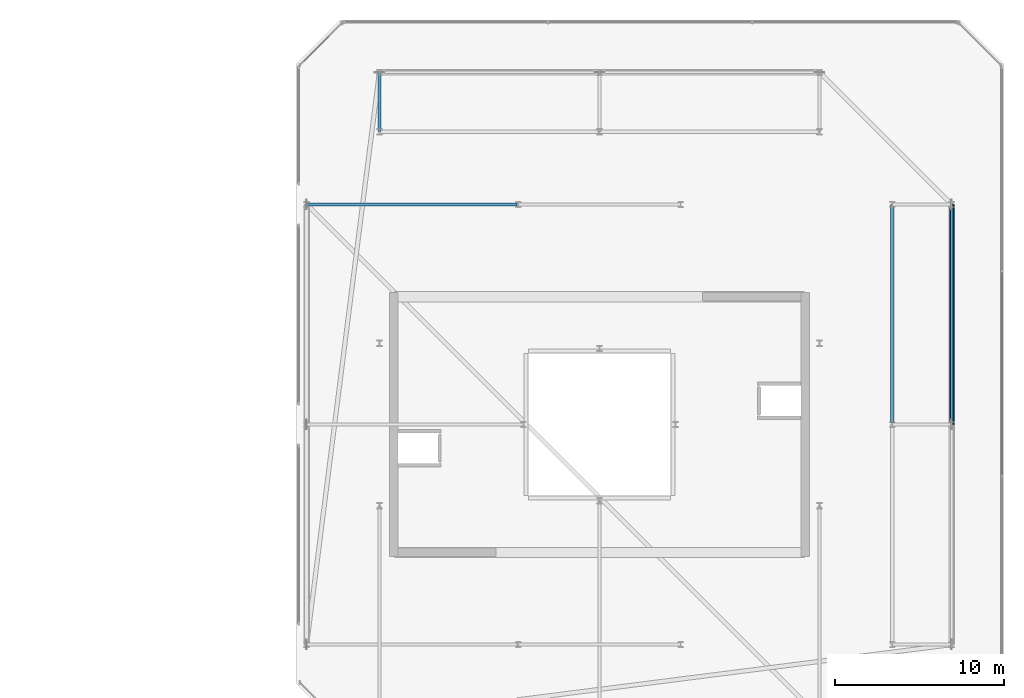
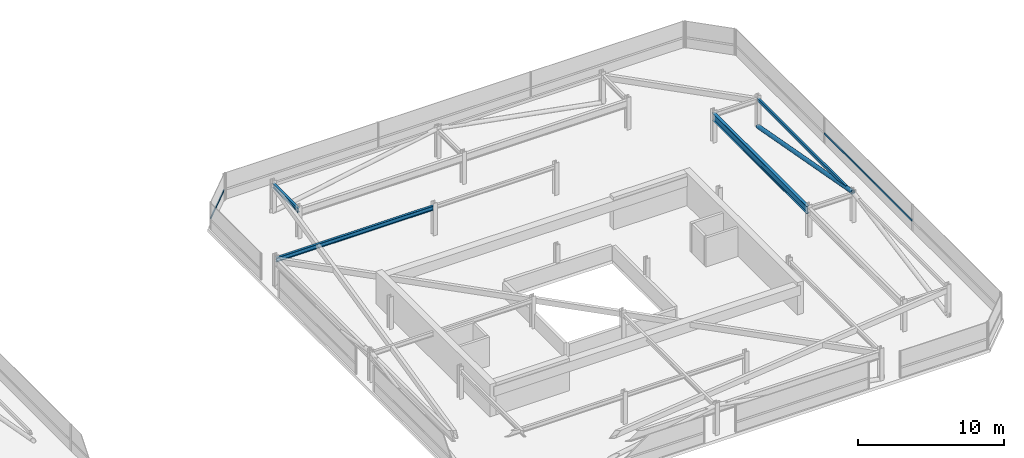
# One storey, part 32 of 42: 4 beams, 3 members, 2 elements without a shape of their own.
"""IFC4 building model written with IfcOpenShell, lengths in metres."""

from ifc_helpers import new_model, si_unit, direction, frame, origin, origin_2d, place, context, subcontext, project, spatial, hollow_rectangle, hollow_circle, i_section, extrude, material, material_profile, profile_set, type_object, element, aggregate, save


model = new_model("IFC4")

# Units and contexts
model_context = context("Model", 3, precision=1e-05, world=origin(), true_north=direction((0.0, 1.0)))
body_context = subcontext(model_context, "Body", "Model", "MODEL_VIEW")
ifc_project = project(units=[si_unit("LENGTHUNIT", "METRE"), si_unit("AREAUNIT", "SQUARE_METRE"), si_unit("VOLUMEUNIT", "CUBIC_METRE"), si_unit("PLANEANGLEUNIT", "RADIAN"), si_unit("MASSUNIT", "GRAM", prefix="KILO")], contexts=[model_context])

# Site, building, storey
site_placement = place(None, origin())
site = spatial("IfcSite", under=ifc_project, at=site_placement, CompositionType="ELEMENT")
building_placement = place(site_placement, origin())
building = spatial("IfcBuilding", under=site, at=building_placement, Name="Thornwick Lancets Civic Towers", CompositionType="ELEMENT")
storey_placement = place(building_placement, frame((0.0, 0.0, 284.10009765625)))
storey = spatial("IfcBuildingStorey", under=building, at=storey_placement, Name="C02", CompositionType="ELEMENT", Elevation=284.10009765625)

# Beams
ifc_material_1 = material(Name="Steel S355JR", Category="steel")
ifc_material_profile_1 = material_profile(ifc_material_1, hollow_rectangle(XDim=0.14990234375, YDim=0.25, WallThickness=0.012451171875, at=origin_2d()), Name="RHS 250x150x12.5")
ifc_profile_set_1 = profile_set([ifc_material_profile_1], Name="Steel S355JR")
beam_type_1 = type_object("IfcBeamType", Name="BM_CROWN_RHS250", PredefinedType="BEAM", material=ifc_profile_set_1)
beam_1_placement = place(storey_placement, frame((109.300048828125, 27.080078125, 2.31494140625), z_axis=(0.0, 1.0, 0.0), x_axis=(-1.0, 0.0, 0.0)))
element("IfcBeam", 1, at=beam_1_placement, inside=storey, type_object=beam_type_1, Name="BM-EDGE-C02-B-S0-2", PredefinedType="BEAM", context=body_context, shape_type="SweptSolid", body=[
    extrude(hollow_rectangle(XDim=0.14990234375, YDim=0.25, WallThickness=0.012451171875, at=origin_2d()), origin(), (0.0, 0.0, 1.0), 12.919921875),
])
ifc_material_profile_2 = material_profile(ifc_material_1, i_section(OverallWidth=0.230224609375, OverallDepth=0.6171875, WebThickness=0.01318359375, FlangeThickness=0.022216796875, FilletRadius=0.0126953125, at=origin_2d()), Name="UKB 610x229x140")
ifc_profile_set_2 = profile_set([ifc_material_profile_2], Name="Steel S355JR")
beam_type_2 = type_object("IfcBeamType", Name="BM_GIRD_610_140", PredefinedType="BEAM", material=ifc_profile_set_2)
beam_2_placement = place(storey_placement, frame((105.800048828125, 27.080078125, 2.13134765625), z_axis=(0.0, 1.0, 0.0), x_axis=(-1.0, 0.0, 0.0)))
element("IfcBeam", 2, at=beam_2_placement, inside=storey, type_object=beam_type_2, Name="BM-SPINE-C02-B-1-2", PredefinedType="BEAM", context=body_context, shape_type="SweptSolid", body=[
    extrude(i_section(OverallWidth=0.230224609375, OverallDepth=0.6171875, WebThickness=0.01318359375, FlangeThickness=0.022216796875, FilletRadius=0.0126953125, at=origin_2d()), origin(), (0.0, 0.0, 1.0), 12.919921875),
])
ifc_material_profile_3 = material_profile(ifc_material_1, i_section(OverallWidth=0.173095703125, OverallDepth=0.36328125, WebThickness=0.009033203125, FlangeThickness=0.015625, FilletRadius=0.01025390625, at=origin_2d()), Name="UKB 356x171x67")
ifc_profile_set_3 = profile_set([ifc_material_profile_3], Name="Steel S355JR")
beam_type_3 = type_object("IfcBeamType", Name="BM_JOIST_356_67", PredefinedType="JOIST", material=ifc_profile_set_3)
beam_3_placement = place(storey_placement, frame((75.5, 44.300048828125, 2.25830078125), z_axis=(0.0, 1.0, 0.0), x_axis=(-1.0, 0.0, 0.0)))
element("IfcBeam", 3, at=beam_3_placement, inside=storey, type_object=beam_type_3, Name="BM-RAD-C02-B06", PredefinedType="JOIST", context=body_context, shape_type="SweptSolid", body=[
    extrude(i_section(OverallWidth=0.173095703125, OverallDepth=0.36328125, WebThickness=0.009033203125, FlangeThickness=0.015625, FilletRadius=0.01025390625, at=origin_2d()), origin(), (0.0, 0.0, 1.0), 3.5),
])
beam_4_placement = place(storey_placement, frame((83.6201171875, 40.0, 2.25830078125), z_axis=(-1.0, 0.0, 0.0), x_axis=(0.0, -1.0, 0.0)))
element("IfcBeam", 4, at=beam_4_placement, inside=storey, type_object=beam_type_3, Name="BM-RADIN-C02-B09", PredefinedType="JOIST", context=body_context, shape_type="SweptSolid", body=[
    extrude(i_section(OverallWidth=0.173095703125, OverallDepth=0.36328125, WebThickness=0.009033203125, FlangeThickness=0.015625, FilletRadius=0.01025390625, at=origin_2d()), origin(), (0.0, 0.0, 1.0), 12.420166015625),
])

# Curtain wall, member
ifc_material_2 = material(Name="Crown ring acoustic-louvre and glazing screen wall", Category="glass")
curtain_wall_type = type_object("IfcCurtainWallType", Name="CW_SYS_07", PredefinedType="NOTDEFINED", material=ifc_material_2)
curtain_wall_1_placement = place(storey_placement, origin())
curtain_wall_1 = element("IfcCurtainWall", 5, at=curtain_wall_1_placement, inside=storey, type_object=curtain_wall_type, Name="C02 Curtain Wall CW-C02-B-E2", PredefinedType="NOTDEFINED")
ifc_material_3 = material(Name="Thermally broken bronze aluminium S355", Category="steel")
ifc_material_profile_4 = material_profile(ifc_material_3, hollow_rectangle(XDim=0.074951171875, YDim=0.14990234375, WallThickness=0.0048828125, at=origin_2d()), Name="RHS 150x75x5")
ifc_profile_set_4 = profile_set([ifc_material_profile_4], Name="Thermally broken bronze aluminium S355")
member_type_1 = type_object("IfcMemberType", Name="CW_TRN_150", PredefinedType="USERDEFINED", material=ifc_profile_set_4)
member_1_placement = place(storey_placement, frame((112.2646484375, 23.986083984375, 0.849853515625), z_axis=(0.0, 1.0, 0.0), x_axis=(-1.0, 0.0, 0.0)))
member_1 = element("IfcMember", 6, at=member_1_placement, type_object=member_type_1, Name="CW-C02-B-E2 Transom 1", ObjectType="TRANSOM", PredefinedType="USERDEFINED", context=body_context, shape_type="SweptSolid", body=[
    extrude(hollow_rectangle(XDim=0.074951171875, YDim=0.14990234375, WallThickness=0.0048828125, at=origin_2d()), origin(), (0.0, 0.0, 1.0), 12.02783203125),
])
aggregate(curtain_wall_1, [member_1])

curtain_wall_2_placement = place(storey_placement, origin())
curtain_wall_2 = element("IfcCurtainWall", 7, at=curtain_wall_2_placement, inside=storey, type_object=curtain_wall_type, Name="C02 Curtain Wall CW-C02-B-E5", PredefinedType="NOTDEFINED")
member_2_placement = place(storey_placement, frame((73.247802734375, 50.69384765625, 0.849853515625), z_axis=(-0.707106781187, -0.707106781187, 0.0), x_axis=(0.707106781187, -0.707106781187, 0.0)))
member_2 = element("IfcMember", 8, at=member_2_placement, type_object=member_type_1, Name="CW-C02-B-E5 Transom 0", ObjectType="TRANSOM", PredefinedType="USERDEFINED", context=body_context, shape_type="SweptSolid", body=[
    extrude(hollow_rectangle(XDim=0.074951171875, YDim=0.14990234375, WallThickness=0.0048828125, at=origin_2d()), origin(), (0.0, 0.0, 1.0), 3.453125),
])
aggregate(curtain_wall_2, [member_2])

# Member
ifc_material_profile_5 = material_profile(ifc_material_1, hollow_circle(Radius=0.161865234375, WallThickness=0.01611328125, at=origin_2d()), Name="CHS 323.9x16")
ifc_profile_set_5 = profile_set([ifc_material_profile_5], Name="Steel S355JR")
member_type_2 = type_object("IfcMemberType", Name="MEM_CROWN_CHS324", PredefinedType="BRACE", material=ifc_profile_set_5)
member_3_placement = place(storey_placement, frame((109.300048828125, 40.0, 0.0498046875), z_axis=(0.0, -0.983515136313, 0.180825818519), x_axis=(1.0, 0.0, 0.0)))
element("IfcMember", 9, at=member_3_placement, inside=storey, type_object=member_type_2, Name="C02 Crown Ring Lancet Rib B-S0-R", PredefinedType="BRACE", context=body_context, shape_type="SweptSolid", body=[
    extrude(hollow_circle(Radius=0.161865234375, WallThickness=0.01611328125, at=origin_2d()), origin(), (0.0, 0.0, 1.0), 13.2177734375),
])

save(model, "model.ifc")
